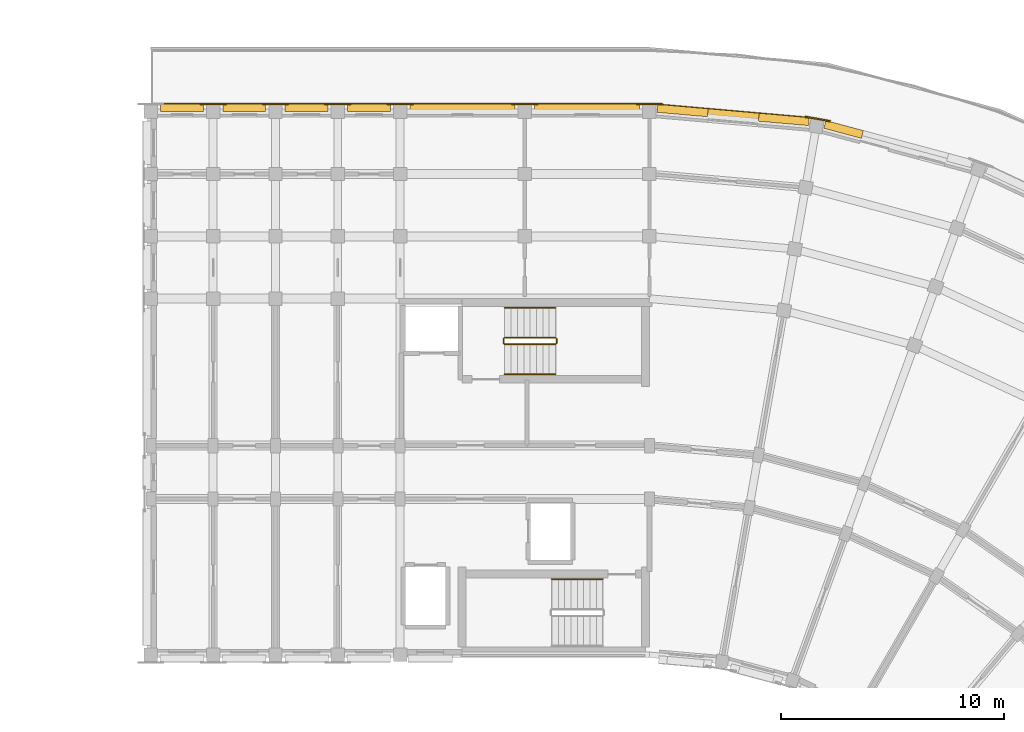
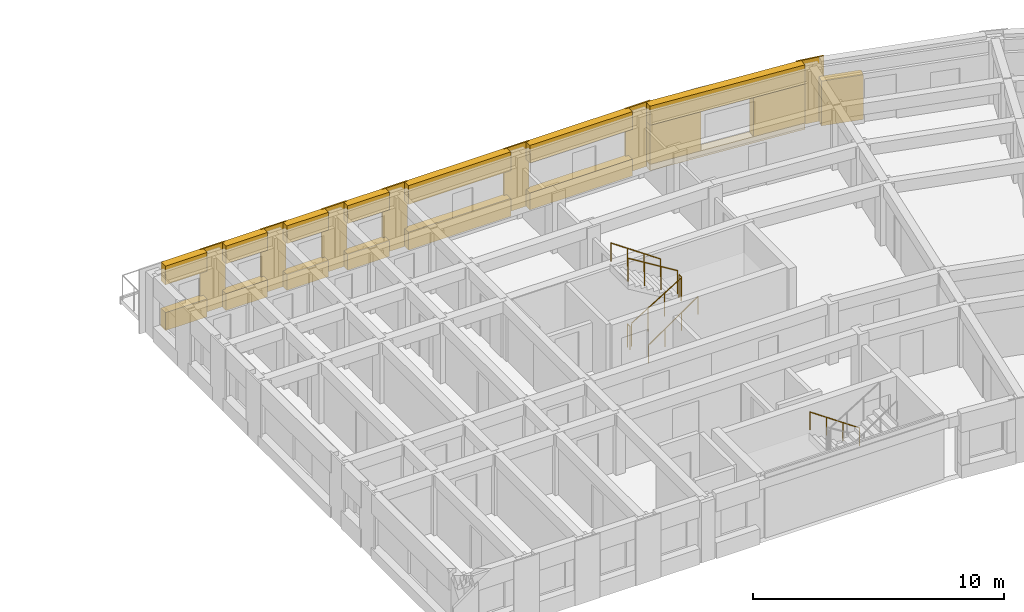
# One storey, part 49 of 53: 24 coverings, 7 railings.
"""IFC4 building model written with IfcOpenShell, lengths in metres."""

from ifc_helpers import new_model, si_unit, direction, frame, origin, origin_2d, place, context, subcontext, project, spatial, polyline, circle, outline, extrude, material, layer, layer_set, type_object, element, save


model = new_model("IFC4")

# Units and contexts
model_context = context("Model", 3, precision=1e-05, world=origin(), true_north=direction((0.0, 1.0)))
body_context = subcontext(model_context, "Body", "Model", "MODEL_VIEW")
ifc_project = project(units=[si_unit("LENGTHUNIT", "METRE"), si_unit("AREAUNIT", "SQUARE_METRE"), si_unit("VOLUMEUNIT", "CUBIC_METRE"), si_unit("PLANEANGLEUNIT", "RADIAN"), si_unit("MASSUNIT", "GRAM", prefix="KILO")], contexts=[model_context])

# Site, building, storey
site_placement = place(None, origin())
site = spatial("IfcSite", under=ifc_project, at=site_placement, CompositionType="ELEMENT")
building_placement = place(site_placement, origin())
building = spatial("IfcBuilding", under=site, at=building_placement, Name="Kiranvali Square Residences", CompositionType="ELEMENT")
storey_placement = place(building_placement, frame((0.0, 0.0, 30.75)))
storey = spatial("IfcBuildingStorey", under=building, at=storey_placement, Name="L09", CompositionType="ELEMENT", Elevation=30.75)

# Coverings
ifc_material_1 = material(Name="Honed Porbandar limestone ashlar facade cladding", Category="masonry")
ifc_layer_1 = layer(ifc_material_1, 0.3798828125)
ifc_layer_set_1 = layer_set([ifc_layer_1], Name="Honed Porbandar limestone ashlar facade cladding")
covering_type_1 = type_object("IfcCoveringType", Name="COV-CLAD-JAMB", PredefinedType="CLADDING", material=ifc_layer_set_1)
covering_1_placement = place(storey_placement, frame((0.0, 0.0, 0.31201171875)))
element("IfcCovering", 1, at=covering_1_placement, inside=storey, type_object=covering_type_1, Name="L09 deep limestone window jamb reveal B-L09-CRV-00.L", PredefinedType="CLADDING", context=body_context, shape_type="SweptSolid", body=[
    extrude(outline(polyline([(120.148681640625, 130.969970703125), (122.4052734375, 130.7724609375), (122.4365234375, 131.130615234375), (120.179931640625, 131.328125), (120.148681640625, 130.969970703125)])), origin(), (0.0, 0.0, 1.0), 1.89990234375),
])
covering_2_placement = place(storey_placement, frame((0.0, 0.0, 0.31201171875)))
element("IfcCovering", 2, at=covering_2_placement, inside=storey, type_object=covering_type_1, Name="L09 deep limestone window jamb reveal B-L09-CRV-00.R", PredefinedType="CLADDING", context=body_context, shape_type="SweptSolid", body=[
    extrude(outline(polyline([(124.696533203125, 130.572021484375), (126.952880859375, 130.374755859375), (126.984375, 130.73291015625), (124.727783203125, 130.93017578125), (124.696533203125, 130.572021484375)])), origin(), (0.0, 0.0, 1.0), 1.89990234375),
])
covering_3_placement = place(storey_placement, origin())
element("IfcCovering", 3, at=covering_3_placement, inside=storey, type_object=covering_type_1, Name="L09 deep limestone window jamb reveal B-L09-CRV-01.L", PredefinedType="CLADDING", context=body_context, shape_type="SweptSolid", body=[
    extrude(outline(polyline([(127.639892578125, 130.253662109375), (129.321044921875, 129.802978515625), (129.4140625, 130.150390625), (127.73291015625, 130.600830078125), (127.639892578125, 130.253662109375)])), origin(), (0.0, 0.0, 1.0), 2.179931640625),
])
ifc_layer_2 = layer(ifc_material_1, 0.06494140625)
ifc_layer_set_2 = layer_set([ifc_layer_2], Name="Honed Porbandar limestone ashlar facade cladding")
covering_type_2 = type_object("IfcCoveringType", Name="COV-CLAD-PIER", PredefinedType="CLADDING", material=ifc_layer_set_2)
covering_4_placement = place(storey_placement, frame((0.0, 0.0, 0.0048828125)))
element("IfcCovering", 4, at=covering_4_placement, inside=storey, type_object=covering_type_2, Name="L09 Classical limestone corner pilaster CLAD-PR-B-L09-A00", PredefinedType="CLADDING", context=body_context, shape_type="SweptSolid", body=[
    extrude(outline(polyline([(120.3798828125, 131.367919921875), (119.219970703125, 131.367919921875), (119.219970703125, 131.300537109375), (120.3798828125, 131.300537109375), (120.3798828125, 131.367919921875)])), origin(), (0.0, 0.0, 1.0), 3.14013671875),
])
covering_5_placement = place(storey_placement, frame((0.0, 0.0, 0.0048828125)))
element("IfcCovering", 5, at=covering_5_placement, inside=storey, type_object=covering_type_2, Name="L09 Classical limestone corner pilaster CLAD-PR-B-L09-A01", PredefinedType="CLADDING", context=body_context, shape_type="SweptSolid", body=[
    extrude(outline(polyline([(127.936767578125, 130.60546875), (126.79443359375, 130.806884765625), (126.782470703125, 130.740234375), (127.925048828125, 130.538818359375), (127.936767578125, 130.60546875)])), origin(), (0.0, 0.0, 1.0), 3.14013671875),
])
ifc_layer_3 = layer(ifc_material_1, 0.054931640625)
ifc_layer_set_3 = layer_set([ifc_layer_3], Name="Honed Porbandar limestone ashlar facade cladding")
covering_type_3 = type_object("IfcCoveringType", Name="COV-CLAD-PIER-UP", PredefinedType="CLADDING", material=ifc_layer_set_3)
covering_6_placement = place(storey_placement, frame((0.0, 0.0, 0.0048828125)))
element("IfcCovering", 6, at=covering_6_placement, inside=storey, type_object=covering_type_3, Name="L09 Classical limestone pilaster casing CLAD-PR-B-L09-U56", PredefinedType="CLADDING", context=body_context, shape_type="SweptSolid", body=[
    extrude(outline(polyline([(114.780029296875, 131.367919921875), (113.6201171875, 131.367919921875), (113.6201171875, 131.300537109375), (114.780029296875, 131.300537109375), (114.780029296875, 131.367919921875)])), origin(), (0.0, 0.0, 1.0), 3.14013671875),
])
covering_7_placement = place(storey_placement, frame((0.0, 0.0, 0.0048828125)))
element("IfcCovering", 7, at=covering_7_placement, inside=storey, type_object=covering_type_3, Name="L09 Classical limestone pilaster casing CLAD-PR-B-L09-U112", PredefinedType="CLADDING", context=body_context, shape_type="SweptSolid", body=[
    extrude(outline(polyline([(109.179931640625, 131.367919921875), (108.02001953125, 131.367919921875), (108.02001953125, 131.300537109375), (109.179931640625, 131.300537109375), (109.179931640625, 131.367919921875)])), origin(), (0.0, 0.0, 1.0), 3.14013671875),
])
covering_8_placement = place(storey_placement, frame((0.0, 0.0, 0.0048828125)))
element("IfcCovering", 8, at=covering_8_placement, inside=storey, type_object=covering_type_3, Name="L09 Classical limestone pilaster casing CLAD-PR-B-L09-U140", PredefinedType="CLADDING", context=body_context, shape_type="SweptSolid", body=[
    extrude(outline(polyline([(106.3798828125, 131.367919921875), (105.219970703125, 131.367919921875), (105.219970703125, 131.300537109375), (106.3798828125, 131.300537109375), (106.3798828125, 131.367919921875)])), origin(), (0.0, 0.0, 1.0), 3.14013671875),
])
covering_9_placement = place(storey_placement, frame((0.0, 0.0, 0.0048828125)))
element("IfcCovering", 9, at=covering_9_placement, inside=storey, type_object=covering_type_3, Name="L09 Classical limestone pilaster casing CLAD-PR-B-L09-U167", PredefinedType="CLADDING", context=body_context, shape_type="SweptSolid", body=[
    extrude(outline(polyline([(103.580078125, 131.367919921875), (102.419921875, 131.367919921875), (102.419921875, 131.300537109375), (103.580078125, 131.300537109375), (103.580078125, 131.367919921875)])), origin(), (0.0, 0.0, 1.0), 3.14013671875),
])
covering_10_placement = place(storey_placement, frame((0.0, 0.0, 0.0048828125)))
element("IfcCovering", 10, at=covering_10_placement, inside=storey, type_object=covering_type_3, Name="L09 Classical limestone pilaster casing CLAD-PR-B-L09-U195", PredefinedType="CLADDING", context=body_context, shape_type="SweptSolid", body=[
    extrude(outline(polyline([(100.780029296875, 131.367919921875), (99.6201171875, 131.367919921875), (99.6201171875, 131.300537109375), (100.780029296875, 131.300537109375), (100.780029296875, 131.367919921875)])), origin(), (0.0, 0.0, 1.0), 3.14013671875),
])
ifc_layer_4 = layer(ifc_material_1, 0.360107421875)
ifc_layer_set_4 = layer_set([ifc_layer_4], Name="Honed Porbandar limestone ashlar facade cladding")
covering_type_4 = type_object("IfcCoveringType", Name="COV-CLAD-WALL", PredefinedType="CLADDING", material=ifc_layer_set_4)
covering_11_placement = place(storey_placement, frame((0.0, 0.0, 2.2119140625)))
element("IfcCovering", 11, at=covering_11_placement, inside=storey, type_object=covering_type_4, Name="L09 light limestone spandrel lintel B-L09-CRV-00", PredefinedType="CLADDING", context=body_context, shape_type="SweptSolid", body=[
    extrude(outline(polyline([(120.148681640625, 130.969970703125), (126.952880859375, 130.374755859375), (126.984375, 130.73291015625), (120.179931640625, 131.328125), (120.148681640625, 130.969970703125)])), origin(), (0.0, 0.0, 1.0), 0.93310546875),
])
covering_12_placement = place(storey_placement, frame((0.0, 0.0, 0.0048828125)))
element("IfcCovering", 12, at=covering_12_placement, inside=storey, type_object=covering_type_4, Name="L09 limestone window sill apron B-L09-CRV-00", PredefinedType="CLADDING", context=body_context, shape_type="SweptSolid", body=[
    extrude(outline(polyline([(120.148681640625, 130.969970703125), (126.952880859375, 130.374755859375), (126.98681640625, 130.7626953125), (120.1826171875, 131.35791015625), (120.148681640625, 130.969970703125)])), origin(), (0.0, 0.0, 1.0), 0.30712890625),
])
covering_13_placement = place(storey_placement, frame((0.0, 0.0, 2.280029296875)))
element("IfcCovering", 13, at=covering_13_placement, inside=storey, type_object=covering_type_4, Name="L09 light limestone spandrel lintel B-L09-A1O-0", PredefinedType="CLADDING", context=body_context, shape_type="SweptSolid", body=[
    extrude(outline(polyline([(119.360107421875, 131.35009765625), (114.639892578125, 131.35009765625), (114.639892578125, 131.00048828125), (119.360107421875, 131.00048828125), (119.360107421875, 131.35009765625)])), origin(), (0.0, 0.0, 1.0), 0.864990234375),
])
covering_14_placement = place(storey_placement, frame((0.0, 0.0, 0.0048828125)))
element("IfcCovering", 14, at=covering_14_placement, inside=storey, type_object=covering_type_4, Name="L09 limestone window sill apron B-L09-A1O-0", PredefinedType="CLADDING", context=body_context, shape_type="SweptSolid", body=[
    extrude(outline(polyline([(119.360107421875, 131.3798828125), (114.639892578125, 131.3798828125), (114.639892578125, 131.00048828125), (119.360107421875, 131.00048828125), (119.360107421875, 131.3798828125)])), origin(), (0.0, 0.0, 1.0), 0.8251953125),
])
covering_15_placement = place(storey_placement, frame((0.0, 0.0, 2.22998046875)))
element("IfcCovering", 15, at=covering_15_placement, inside=storey, type_object=covering_type_4, Name="L09 light limestone spandrel lintel B-L09-A1O-1", PredefinedType="CLADDING", context=body_context, shape_type="SweptSolid", body=[
    extrude(outline(polyline([(113.760009765625, 131.35009765625), (109.0400390625, 131.35009765625), (109.0400390625, 131.00048828125), (113.760009765625, 131.00048828125), (113.760009765625, 131.35009765625)])), origin(), (0.0, 0.0, 1.0), 0.9150390625),
])
covering_16_placement = place(storey_placement, frame((0.0, 0.0, 0.0048828125)))
element("IfcCovering", 16, at=covering_16_placement, inside=storey, type_object=covering_type_4, Name="L09 limestone window sill apron B-L09-A1O-1", PredefinedType="CLADDING", context=body_context, shape_type="SweptSolid", body=[
    extrude(outline(polyline([(113.760009765625, 131.3798828125), (109.0400390625, 131.3798828125), (109.0400390625, 131.00048828125), (113.760009765625, 131.00048828125), (113.760009765625, 131.3798828125)])), origin(), (0.0, 0.0, 1.0), 0.875),
])
covering_17_placement = place(storey_placement, frame((0.0, 0.0, 2.280029296875)))
element("IfcCovering", 17, at=covering_17_placement, inside=storey, type_object=covering_type_4, Name="L09 light limestone spandrel lintel B-L09-A1O-2", PredefinedType="CLADDING", context=body_context, shape_type="SweptSolid", body=[
    extrude(outline(polyline([(108.159912109375, 131.35009765625), (106.239990234375, 131.35009765625), (106.239990234375, 131.00048828125), (108.159912109375, 131.00048828125), (108.159912109375, 131.35009765625)])), origin(), (0.0, 0.0, 1.0), 0.864990234375),
])
covering_18_placement = place(storey_placement, frame((0.0, 0.0, 0.0048828125)))
element("IfcCovering", 18, at=covering_18_placement, inside=storey, type_object=covering_type_4, Name="L09 limestone window sill apron B-L09-A1O-2", PredefinedType="CLADDING", context=body_context, shape_type="SweptSolid", body=[
    extrude(outline(polyline([(108.159912109375, 131.3798828125), (106.239990234375, 131.3798828125), (106.239990234375, 131.00048828125), (108.159912109375, 131.00048828125), (108.159912109375, 131.3798828125)])), origin(), (0.0, 0.0, 1.0), 0.775146484375),
])
covering_19_placement = place(storey_placement, frame((0.0, 0.0, 2.280029296875)))
element("IfcCovering", 19, at=covering_19_placement, inside=storey, type_object=covering_type_4, Name="L09 light limestone spandrel lintel B-L09-A1O-3", PredefinedType="CLADDING", context=body_context, shape_type="SweptSolid", body=[
    extrude(outline(polyline([(105.360107421875, 131.35009765625), (103.43994140625, 131.35009765625), (103.43994140625, 131.00048828125), (105.360107421875, 131.00048828125), (105.360107421875, 131.35009765625)])), origin(), (0.0, 0.0, 1.0), 0.864990234375),
])
covering_20_placement = place(storey_placement, frame((0.0, 0.0, 0.0048828125)))
element("IfcCovering", 20, at=covering_20_placement, inside=storey, type_object=covering_type_4, Name="L09 limestone window sill apron B-L09-A1O-3", PredefinedType="CLADDING", context=body_context, shape_type="SweptSolid", body=[
    extrude(outline(polyline([(105.360107421875, 131.3798828125), (103.43994140625, 131.3798828125), (103.43994140625, 131.00048828125), (105.360107421875, 131.00048828125), (105.360107421875, 131.3798828125)])), origin(), (0.0, 0.0, 1.0), 0.775146484375),
])
covering_21_placement = place(storey_placement, frame((0.0, 0.0, 2.280029296875)))
element("IfcCovering", 21, at=covering_21_placement, inside=storey, type_object=covering_type_4, Name="L09 light limestone spandrel lintel B-L09-A1O-4", PredefinedType="CLADDING", context=body_context, shape_type="SweptSolid", body=[
    extrude(outline(polyline([(102.56005859375, 131.35009765625), (100.639892578125, 131.35009765625), (100.639892578125, 131.00048828125), (102.56005859375, 131.00048828125), (102.56005859375, 131.35009765625)])), origin(), (0.0, 0.0, 1.0), 0.864990234375),
])
covering_22_placement = place(storey_placement, frame((0.0, 0.0, 0.0048828125)))
element("IfcCovering", 22, at=covering_22_placement, inside=storey, type_object=covering_type_4, Name="L09 limestone window sill apron B-L09-A1O-4", PredefinedType="CLADDING", context=body_context, shape_type="SweptSolid", body=[
    extrude(outline(polyline([(102.56005859375, 131.3798828125), (100.639892578125, 131.3798828125), (100.639892578125, 131.00048828125), (102.56005859375, 131.00048828125), (102.56005859375, 131.3798828125)])), origin(), (0.0, 0.0, 1.0), 0.8251953125),
])
covering_23_placement = place(storey_placement, frame((0.0, 0.0, 2.22998046875)))
element("IfcCovering", 23, at=covering_23_placement, inside=storey, type_object=covering_type_4, Name="L09 light limestone spandrel lintel B-L09-A1O-5", PredefinedType="CLADDING", context=body_context, shape_type="SweptSolid", body=[
    extrude(outline(polyline([(99.760009765625, 131.35009765625), (97.840087890625, 131.35009765625), (97.840087890625, 131.00048828125), (99.760009765625, 131.00048828125), (99.760009765625, 131.35009765625)])), origin(), (0.0, 0.0, 1.0), 0.9150390625),
])
covering_24_placement = place(storey_placement, frame((0.0, 0.0, 0.0048828125)))
element("IfcCovering", 24, at=covering_24_placement, inside=storey, type_object=covering_type_4, Name="L09 limestone window sill apron B-L09-A1O-5", PredefinedType="CLADDING", context=body_context, shape_type="SweptSolid", body=[
    extrude(outline(polyline([(99.760009765625, 131.3798828125), (97.840087890625, 131.3798828125), (97.840087890625, 131.00048828125), (99.760009765625, 131.00048828125), (99.760009765625, 131.3798828125)])), origin(), (0.0, 0.0, 1.0), 0.875),
])

# Railings
ifc_material_2 = material(Name="Brushed stainless steel tubular handrail", Category="steel")
railing_type_1 = type_object("IfcRailingType", Name="RL-HANDRAIL-900", PredefinedType="HANDRAIL", material=ifc_material_2)
railing_1_placement = place(storey_placement, frame((113.300048828125, 119.199951171875, 0.175048828125)))
element("IfcRailing", 25, at=railing_1_placement, inside=storey, type_object=railing_type_1, Name="L09 ST-B1 stair handrail 1", PredefinedType="HANDRAIL", context=body_context, shape_type="SweptSolid", body=[
    extrude(circle(Radius=0.02392578125, at=origin_2d()), frame((0.0, 0.0, 0.8759765625), z_axis=(0.82278801735, 0.0, 0.568348377763), x_axis=(0.0, 1.0, 0.0)), (0.0, 0.0, 1.0), 2.77099609375),
    extrude(circle(Radius=0.02099609375, at=origin_2d()), origin(), (0.0, 0.0, 1.0), 0.851806640625),
    extrude(circle(Radius=0.02099609375, at=origin_2d()), frame((0.760009765625, 0.0, 0.52490234375)), (0.0, 0.0, 1.0), 0.851806640625),
    extrude(circle(Radius=0.02099609375, at=origin_2d()), frame((1.52001953125, 0.0, 1.050048828125)), (0.0, 0.0, 1.0), 0.851806640625),
    extrude(circle(Radius=0.02099609375, at=origin_2d()), frame((2.280029296875, 0.0, 1.574951171875)), (0.0, 0.0, 1.0), 0.851806640625),
])
for number, where, name in (
    (26, (115.580078125, 122.199951171875, 1.75), "L09 ST-B1 stair handrail 2"),
    (27, (117.699951171875, 110.0, 0.175048828125), "L09 ST-B2 stair handrail 1"),
):
    element("IfcRailing", number, at=place(storey_placement, frame(where)), inside=storey, type_object=railing_type_1, Name=name, PredefinedType="HANDRAIL", context=body_context, shape_type="SweptSolid", body=[
        extrude(circle(Radius=0.02392578125, at=origin_2d()), frame((0.0, 0.0, 0.8759765625), z_axis=(-0.82278801735, 0.0, 0.568348377763), x_axis=(0.0, -1.0, 0.0)), (0.0, 0.0, 1.0), 2.77099609375),
        extrude(circle(Radius=0.02099609375, at=origin_2d()), origin(), (0.0, 0.0, 1.0), 0.851806640625),
        extrude(circle(Radius=0.02099609375, at=origin_2d()), frame((-0.760009765625, 0.0, 0.52490234375)), (0.0, 0.0, 1.0), 0.851806640625),
        extrude(circle(Radius=0.02099609375, at=origin_2d()), frame((-1.52001953125, 0.0, 1.050048828125)), (0.0, 0.0, 1.0), 0.851806640625),
        extrude(circle(Radius=0.02099609375, at=origin_2d()), frame((-2.280029296875, 0.0, 1.574951171875)), (0.0, 0.0, 1.0), 0.851806640625),
    ])
ifc_material_3 = material(Name="Powder-coated architectural bronze balustrade", Category="steel")
railing_type_2 = type_object("IfcRailingType", Name="RL-ST-GUARD-1200", PredefinedType="GUARDRAIL", material=ifc_material_3)
railing_2_placement = place(storey_placement, frame((113.300048828125, 120.550048828125, 0.175048828125)))
element("IfcRailing", 28, at=railing_2_placement, inside=storey, type_object=railing_type_2, Name="L09 ST-B1 stair guard 1", PredefinedType="GUARDRAIL", context=body_context, shape_type="SweptSolid", body=[
    extrude(circle(Radius=0.02392578125, at=origin_2d()), frame((0.0, 0.0, 1.1259765625), z_axis=(0.852190499154, 0.0, 0.523231643875), x_axis=(0.0, 1.0, 0.0)), (0.0, 0.0, 1.0), 2.675537109375),
    extrude(circle(Radius=0.02099609375, at=origin_2d()), origin(), (0.0, 0.0, 1.0), 1.101806640625),
    extrude(circle(Radius=0.02099609375, at=origin_2d()), frame((0.760009765625, 0.0, 0.466552734375)), (0.0, 0.0, 1.0), 1.101806640625),
    extrude(circle(Radius=0.02099609375, at=origin_2d()), frame((1.52001953125, 0.0, 0.933349609375)), (0.0, 0.0, 1.0), 1.101806640625),
    extrude(circle(Radius=0.02099609375, at=origin_2d()), frame((2.280029296875, 0.0, 1.39990234375)), (0.0, 0.0, 1.0), 1.101806640625),
])
railing_3_placement = place(storey_placement, frame((115.6298828125, 120.60009765625, 1.574951171875)))
element("IfcRailing", 29, at=railing_3_placement, inside=storey, type_object=railing_type_2, Name="L09 ST-B1 stair guard 2", PredefinedType="GUARDRAIL", context=body_context, shape_type="SweptSolid", body=[
    extrude(circle(Radius=0.02392578125, at=origin_2d()), frame((0.0, 0.0, 1.1259765625), z_axis=(0.0, 1.0, 0.0), x_axis=(-1.0, 0.0, 0.0)), (0.0, 0.0, 1.0), 0.199951171875),
    extrude(circle(Radius=0.02099609375, at=origin_2d()), origin(), (0.0, 0.0, 1.0), 1.101806640625),
    extrude(circle(Radius=0.02099609375, at=origin_2d()), frame((0.0, 0.199951171875, 0.0)), (0.0, 0.0, 1.0), 1.101806640625),
])
railing_4_placement = place(storey_placement, frame((115.580078125, 120.85009765625, 1.75)))
element("IfcRailing", 30, at=railing_4_placement, inside=storey, type_object=railing_type_2, Name="L09 ST-B1 stair guard 3", PredefinedType="GUARDRAIL", context=body_context, shape_type="SweptSolid", body=[
    extrude(circle(Radius=0.02392578125, at=origin_2d()), frame((0.0, 0.0, 1.1259765625), z_axis=(-0.852190499154, 0.0, 0.523231643875), x_axis=(0.0, -1.0, 0.0)), (0.0, 0.0, 1.0), 2.675537109375),
    extrude(circle(Radius=0.02099609375, at=origin_2d()), origin(), (0.0, 0.0, 1.0), 1.101806640625),
    extrude(circle(Radius=0.02099609375, at=origin_2d()), frame((-0.760009765625, 0.0, 0.466552734375)), (0.0, 0.0, 1.0), 1.101806640625),
    extrude(circle(Radius=0.02099609375, at=origin_2d()), frame((-1.52001953125, 0.0, 0.933349609375)), (0.0, 0.0, 1.0), 1.101806640625),
    extrude(circle(Radius=0.02099609375, at=origin_2d()), frame((-2.280029296875, 0.0, 1.39990234375)), (0.0, 0.0, 1.0), 1.101806640625),
])
railing_5_placement = place(storey_placement, frame((113.25, 120.60009765625, 0.0)))
element("IfcRailing", 31, at=railing_5_placement, inside=storey, type_object=railing_type_2, Name="L09 ST-B1 stair guard 4", PredefinedType="GUARDRAIL", context=body_context, shape_type="SweptSolid", body=[
    extrude(circle(Radius=0.02392578125, at=origin_2d()), frame((0.0, 0.0, 1.1259765625), z_axis=(0.0, 1.0, 0.0), x_axis=(-1.0, 0.0, 0.0)), (0.0, 0.0, 1.0), 0.199951171875),
    extrude(circle(Radius=0.02099609375, at=origin_2d()), origin(), (0.0, 0.0, 1.0), 1.101806640625),
    extrude(circle(Radius=0.02099609375, at=origin_2d()), frame((0.0, 0.199951171875, 0.0)), (0.0, 0.0, 1.0), 1.101806640625),
])

save(model, "model.ifc")
